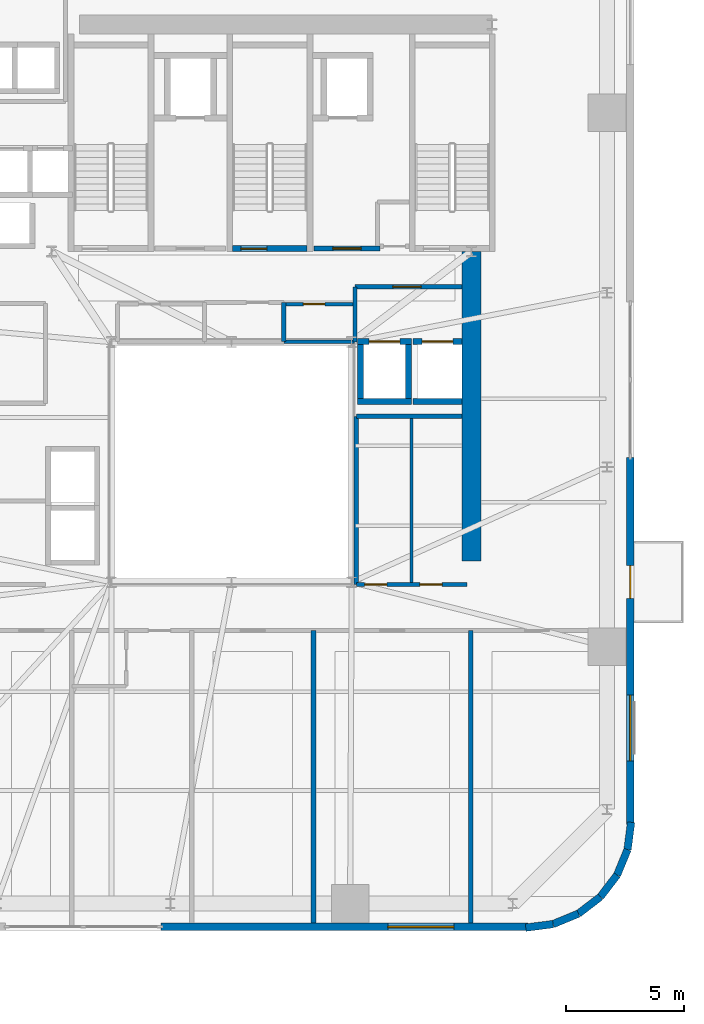
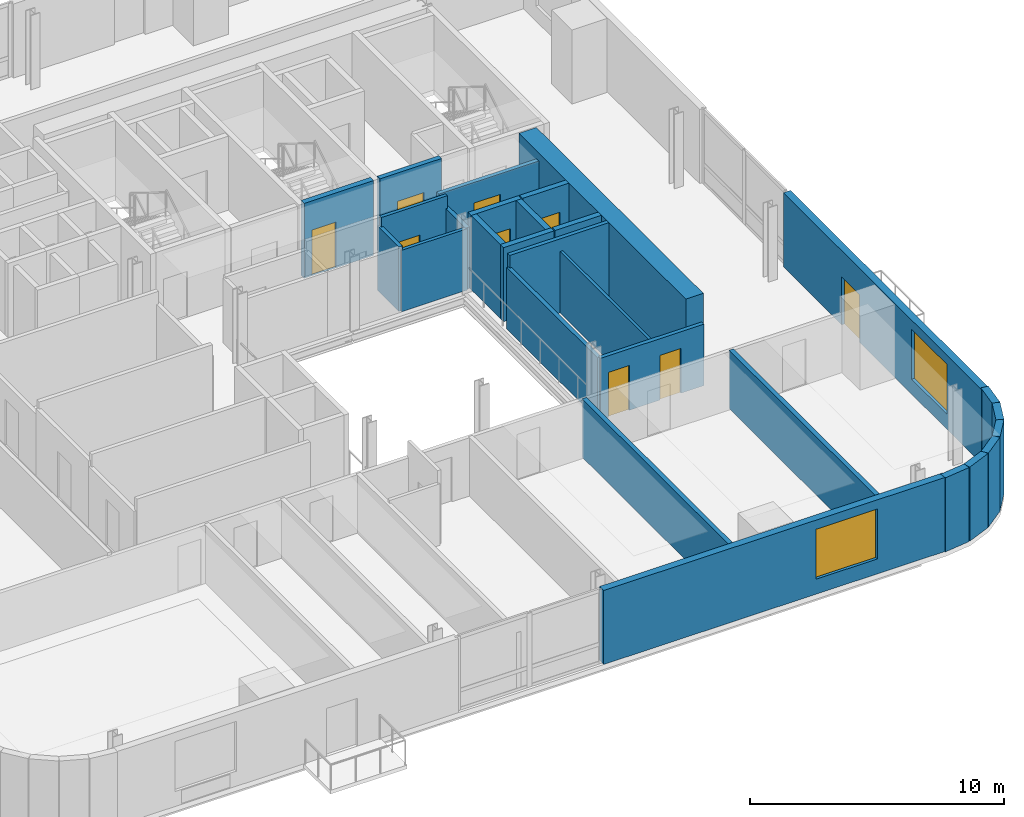
# One storey, part 7 of 14: 28 walls, 9 doors, 2 windows, 11 openings.
"""IFC4 building model written with IfcOpenShell, lengths in metres."""

from ifc_helpers import new_model, si_unit, direction, frame, frame_2d, origin, place, context, subcontext, project, spatial, rectangle, extrude, source, transform, mapped, material, layer, layer_set, type_object, element, fill, save


model = new_model("IFC4")

# Units and contexts
model_context = context("Model", 3, precision=1e-05, world=origin(), true_north=direction((0.0, 1.0)))
body_context = subcontext(model_context, "Body", "Model", "MODEL_VIEW")
ifc_project = project(units=[si_unit("LENGTHUNIT", "METRE"), si_unit("AREAUNIT", "SQUARE_METRE"), si_unit("VOLUMEUNIT", "CUBIC_METRE"), si_unit("PLANEANGLEUNIT", "RADIAN"), si_unit("MASSUNIT", "GRAM", prefix="KILO")], contexts=[model_context])

# Site, building, storey
site_placement = place(None, origin())
site = spatial("IfcSite", under=ifc_project, at=site_placement, CompositionType="ELEMENT")
building_placement = place(site_placement, origin())
building = spatial("IfcBuilding", under=site, at=building_placement, Name="Vardaveli Station Tower", CompositionType="ELEMENT")
storey_placement = place(building_placement, frame((0.0, 0.0, 103.699951171875)))
storey = spatial("IfcBuildingStorey", under=building, at=storey_placement, Name="L26", CompositionType="ELEMENT", Elevation=103.699951171875)

# Wall
ifc_material_1 = material(Name="Concrete C50/60", Category="concrete")
ifc_layer_1 = layer(ifc_material_1, 0.800048828125, Name="Concrete C50/60")
ifc_layer_set_1 = layer_set([ifc_layer_1], Name="Concrete C50/60")
wall_type_1 = type_object("IfcWallType", Name="WAL-CORE-800", PredefinedType="SHEAR", material=ifc_layer_set_1)
shared_shape_1 = source(origin(), body_context, "Body", "SweptSolid", [
    extrude(rectangle(XDim=13.14990234375, YDim=0.800048828125, at=frame_2d((6.574951171875, 0.0))), origin(), (0.0, 0.0, 1.0), 3.56005859375),
])
wall_1_placement = place(storey_placement, frame((46.5, 17.5, 0.0), z_axis=(0.0, 0.0, 1.0), x_axis=(0.0, 1.0, 0.0)))
element("IfcWall", 1, at=wall_1_placement, inside=storey, type_object=wall_type_1, Name="SW-L26-EAST2", PredefinedType="SHEAR", context=body_context, shape_type="MappedRepresentation", body=[
    mapped(shared_shape_1, transform((0.0, 0.0, 0.0), scale=1.0)),
])

# Wall, opening, window
ifc_material_2 = material(Name="Precast concrete C45/55", Category="concrete")
ifc_layer_2 = layer(ifc_material_2, 0.320068359375, Name="Precast concrete C45/55")
ifc_layer_set_2 = layer_set([ifc_layer_2], Name="Precast concrete C45/55")
wall_type_2 = type_object("IfcWallType", Name="WAL-EXT-STONE-320", PredefinedType="SOLIDWALL", material=ifc_layer_set_2)
shared_shape_2 = source(origin(), body_context, "Body", "SweptSolid", [
    extrude(rectangle(XDim=15.599853515625, YDim=0.320068359375, at=frame_2d((7.7998046875, 0.0))), origin(), (0.0, 0.0, 1.0), 3.56005859375),
])
wall_2_placement = place(storey_placement, frame((33.300048828125, 1.9599609375, 0.0), z_axis=(0.0, 0.0, 1.0), x_axis=(1.0, 0.0, 0.0)))
wall_2 = element("IfcWall", 2, at=wall_2_placement, inside=storey, type_object=wall_type_2, Name="EW-L26-S2", PredefinedType="SOLIDWALL", context=body_context, shape_type="MappedRepresentation", body=[
    mapped(shared_shape_2, transform((0.0, 0.0, 0.0), scale=1.0)),
])
shared_shape_3 = source(origin(), body_context, "Body", "SweptSolid", [
    extrude(rectangle(XDim=2.800048828125, YDim=2.39990234375, at=frame_2d((1.39990234375, 1.199951171875))), frame((0.0, 0.169921875, 0.0), z_axis=(0.0, -1.0, 0.0), x_axis=(1.0, 0.0, 0.0)), (0.0, 0.0, 1.0), 0.340087890625),
])
opening_1_placement = place(wall_2_placement, frame((9.64501953125, 0.0, 0.719970703125)))
opening_1 = element("IfcOpeningElement", 3, at=opening_1_placement, cuts=wall_2, Name="Opening W-04", PredefinedType="OPENING", context=body_context, shape_type="MappedRepresentation", body=[
    mapped(shared_shape_3, transform((0.0, 0.0, 0.0), scale=1.0)),
])
ifc_material_3 = material(Name="Low-E solar-control glass", Category="glass")
window_type = type_object("IfcWindowType", Name="WIN-SUITE-2800x2400", PartitioningType="SINGLE_PANEL", PredefinedType="WINDOW", material=ifc_material_3)
shared_shape_4 = source(origin(), body_context, "Body", "SweptSolid", [
    extrude(rectangle(XDim=2.800048828125, YDim=2.39990234375, at=frame_2d((1.39990234375, 1.199951171875))), frame((0.0, 0.030029296875, 0.0), z_axis=(0.0, -1.0, 0.0), x_axis=(1.0, 0.0, 0.0)), (0.0, 0.0, 1.0), 0.06005859375),
])
window_1_placement = place(opening_1_placement, origin())
window_1 = element("IfcWindow", 4, at=window_1_placement, inside=storey, type_object=window_type, Name="WN-L26-S2", OverallHeight=2.39990234375, OverallWidth=2.800048828125, PartitioningType="SINGLE_PANEL", PredefinedType="WINDOW", context=body_context, shape_type="MappedRepresentation", body=[
    mapped(shared_shape_4, transform((0.0, 0.0, 0.0), scale=1.0)),
])
fill(opening_1, window_1)

# Wall, openings, door, window
wall_3_placement = place(storey_placement, frame((53.239990234375, 6.300048828125, 0.0), z_axis=(0.0, 0.0, 1.0), x_axis=(0.0, 1.0, 0.0)))
wall_3 = element("IfcWall", 5, at=wall_3_placement, inside=storey, type_object=wall_type_2, Name="EW-L26-E1", PredefinedType="SOLIDWALL", context=body_context, shape_type="MappedRepresentation", body=[
    mapped(shared_shape_2, transform((0.0, 0.0, 0.0), scale=1.0)),
])
shared_shape_5 = source(origin(), body_context, "Body", "SweptSolid", [
    extrude(rectangle(XDim=1.39990234375, YDim=2.300048828125, at=frame_2d((0.699951171875, 1.14990234375))), frame((0.0, 0.169921875, 0.0), z_axis=(0.0, -1.0, 0.0), x_axis=(1.0, 0.0, 0.0)), (0.0, 0.0, 1.0), 0.340087890625),
])
opening_2_placement = place(wall_3_placement, frame((9.6103515625, 0.0, 0.0)))
opening_2 = element("IfcOpeningElement", 6, at=opening_2_placement, cuts=wall_3, Name="Opening D-09", PredefinedType="OPENING", context=body_context, shape_type="MappedRepresentation", body=[
    mapped(shared_shape_5, transform((0.0, 0.0, 0.0), scale=1.0)),
])
opening_3_placement = place(wall_3_placement, frame((2.705078125, 0.0, 0.719970703125)))
opening_3 = element("IfcOpeningElement", 7, at=opening_3_placement, cuts=wall_3, Name="Opening W-04", PredefinedType="OPENING", context=body_context, shape_type="MappedRepresentation", body=[
    mapped(shared_shape_3, transform((0.0, 0.0, 0.0), scale=1.0)),
])
ifc_material_4 = material(Name="Thermally broken aluminium glass", Category="aluminium")
door_type_1 = type_object("IfcDoorType", Name="DR-LOG-1400x2300", OperationType="DOUBLE_DOOR_SLIDING", PredefinedType="DOOR", material=ifc_material_4)
shared_shape_6 = source(origin(), body_context, "Body", "SweptSolid", [
    extrude(rectangle(XDim=1.39990234375, YDim=2.300048828125, at=frame_2d((0.699951171875, 1.14990234375))), frame((0.0, 0.02490234375, 0.0), z_axis=(0.0, -1.0, 0.0), x_axis=(1.0, 0.0, 0.0)), (0.0, 0.0, 1.0), 0.050048828125),
])
door_1_placement = place(opening_2_placement, frame((1.39990234375, 0.0, 0.0), z_axis=(0.0, 0.0, 1.0), x_axis=(-1.0, 0.0, 0.0)))
door_1 = element("IfcDoor", 8, at=door_1_placement, inside=storey, type_object=door_type_1, Name="DLG-L26-E", OperationType="DOUBLE_DOOR_SLIDING", OverallHeight=2.300048828125, OverallWidth=1.39990234375, PredefinedType="DOOR", context=body_context, shape_type="MappedRepresentation", body=[
    mapped(shared_shape_6, transform((0.0, 0.0, 0.0), scale=1.0)),
])
fill(opening_2, door_1)
window_2_placement = place(opening_3_placement, origin())
window_2 = element("IfcWindow", 9, at=window_2_placement, inside=storey, type_object=window_type, Name="WN-L26-E1", OverallHeight=2.39990234375, OverallWidth=2.800048828125, PartitioningType="SINGLE_PANEL", PredefinedType="WINDOW", context=body_context, shape_type="MappedRepresentation", body=[
    mapped(shared_shape_4, transform((0.0, 0.0, 0.0), scale=1.0)),
])
fill(opening_3, window_2)

# Walls
shared_shape_7 = source(origin(), body_context, "Body", "SweptSolid", [
    extrude(rectangle(XDim=1.170654296875, YDim=0.320068359375, at=frame_2d((0.58544921875, 0.0))), origin(), (0.0, 0.0, 1.0), 3.56005859375),
])
wall_4_placement = place(storey_placement, frame((53.12548828125, 5.23974609375, 0.0), z_axis=(0.0, 0.0, 1.0), x_axis=(0.128269133229, 0.991739395941, 0.0)))
element("IfcWall", 10, at=wall_4_placement, inside=storey, type_object=wall_type_2, Name="EW-L26-CR2-6", PredefinedType="SOLIDWALL", context=body_context, shape_type="MappedRepresentation", body=[
    mapped(shared_shape_7, transform((0.0, 0.0, 0.0), scale=1.0)),
])
shared_shape_8 = source(origin(), body_context, "Body", "SweptSolid", [
    extrude(rectangle(XDim=1.1689453125, YDim=0.320068359375, at=frame_2d((0.58447265625, 0.0))), origin(), (0.0, 0.0, 1.0), 3.56005859375),
])
for number, where, z_axis, x_axis, name in (
    (11, (51.96875, 3.231201171875, 0.0), (0.0, 0.0, 1.0), (0.608387696831, 0.793639975269, 0.0), "EW-L26-CR2-4"),
    (12, (52.679931640625, 4.158935546875, 0.0), (0.0, 0.0, 1.0), (0.381127904695, 0.924522320046, 0.0), "EW-L26-CR2-5"),
):
    element("IfcWall", number, at=place(storey_placement, frame(where, z_axis=z_axis, x_axis=x_axis)), inside=storey, type_object=wall_type_2, Name=name, PredefinedType="SOLIDWALL", context=body_context, shape_type="MappedRepresentation", body=[
        mapped(shared_shape_8, transform((0.0, 0.0, 0.0), scale=1.0)),
    ])
shared_shape_9 = source(origin(), body_context, "Body", "SweptSolid", [
    extrude(rectangle(XDim=1.168701171875, YDim=0.320068359375, at=frame_2d((0.58447265625, 0.0))), origin(), (0.0, 0.0, 1.0), 3.56005859375),
])
wall_5_placement = place(storey_placement, frame((51.041259765625, 2.520263671875, 0.0), z_axis=(0.0, 0.0, 1.0), x_axis=(0.793663520347, 0.608356981114, 0.0)))
element("IfcWall", 13, at=wall_5_placement, inside=storey, type_object=wall_type_2, Name="EW-L26-CR2-3", PredefinedType="SOLIDWALL", context=body_context, shape_type="MappedRepresentation", body=[
    mapped(shared_shape_9, transform((0.0, 0.0, 0.0), scale=1.0)),
])
shared_shape_10 = source(origin(), body_context, "Body", "SweptSolid", [
    extrude(rectangle(XDim=1.16943359375, YDim=0.320068359375, at=frame_2d((0.584716796875, 0.0))), origin(), (0.0, 0.0, 1.0), 3.56005859375),
])
wall_6_placement = place(storey_placement, frame((49.960205078125, 2.074462890625, 0.0), z_axis=(0.0, 0.0, 1.0), x_axis=(0.924479075121, 0.381232789334, 0.0)))
element("IfcWall", 14, at=wall_6_placement, inside=storey, type_object=wall_type_2, Name="EW-L26-CR2-2", PredefinedType="SOLIDWALL", context=body_context, shape_type="MappedRepresentation", body=[
    mapped(shared_shape_10, transform((0.0, 0.0, 0.0), scale=1.0)),
])
shared_shape_11 = source(origin(), body_context, "Body", "SweptSolid", [
    extrude(rectangle(XDim=1.170166015625, YDim=0.320068359375, at=frame_2d((0.5849609375, 0.0))), origin(), (0.0, 0.0, 1.0), 3.56005859375),
])
wall_7_placement = place(storey_placement, frame((48.799560546875, 1.924560546875, 0.0), z_axis=(0.0, 0.0, 1.0), x_axis=(0.991762485493, 0.128090485085, 0.0)))
element("IfcWall", 15, at=wall_7_placement, inside=storey, type_object=wall_type_2, Name="EW-L26-CR2-1", PredefinedType="SOLIDWALL", context=body_context, shape_type="MappedRepresentation", body=[
    mapped(shared_shape_11, transform((0.0, 0.0, 0.0), scale=1.0)),
])

# Wall, opening, door
ifc_material_5 = material(Name="Concrete C40/50", Category="concrete")
ifc_layer_3 = layer(ifc_material_5, 0.25, Name="Concrete C40/50")
ifc_layer_set_3 = layer_set([ifc_layer_3], Name="Concrete C40/50")
wall_type_3 = type_object("IfcWallType", Name="WAL-SHAFT-250", PredefinedType="SOLIDWALL", material=ifc_layer_set_3)
shared_shape_12 = source(origin(), body_context, "Body", "SweptSolid", [
    extrude(rectangle(XDim=3.14990234375, YDim=0.25, at=frame_2d((1.574951171875, 0.0))), origin(), (0.0, 0.0, 1.0), 3.60009765625),
])
wall_8_placement = place(storey_placement, frame((36.35009765625, 30.77490234375, 0.0), z_axis=(0.0, 0.0, 1.0), x_axis=(1.0, 0.0, 0.0)))
wall_8 = element("IfcWall", 16, at=wall_8_placement, inside=storey, type_object=wall_type_3, Name="W-L26-ST-2S", PredefinedType="SOLIDWALL", context=body_context, shape_type="MappedRepresentation", body=[
    mapped(shared_shape_12, transform((0.0, 0.0, 0.0), scale=1.0)),
])
shared_shape_13 = source(origin(), body_context, "Body", "SweptSolid", [
    extrude(rectangle(XDim=1.10009765625, YDim=2.199951171875, at=frame_2d((0.550048828125, 1.10009765625))), frame((0.0, 0.135009765625, 0.0), z_axis=(0.0, -1.0, 0.0), x_axis=(1.0, 0.0, 0.0)), (0.0, 0.0, 1.0), 0.27001953125),
])
opening_4_placement = place(wall_8_placement, frame((0.35009765625, 0.0, 0.0)))
opening_4 = element("IfcOpeningElement", 17, at=opening_4_placement, cuts=wall_8, Name="Opening D-04", PredefinedType="OPENING", context=body_context, shape_type="MappedRepresentation", body=[
    mapped(shared_shape_13, transform((0.0, 0.0, 0.0), scale=1.0)),
])
ifc_material_6 = material(Name="Steel smokeproof fire doorset", Category="steel")
door_type_2 = type_object("IfcDoorType", Name="DR-ST-1100x2200", OperationType="NOTDEFINED", PredefinedType="DOOR", material=ifc_material_6)
shared_shape_14 = source(origin(), body_context, "Body", "SweptSolid", [
    extrude(rectangle(XDim=1.10009765625, YDim=2.199951171875, at=frame_2d((0.550048828125, 1.10009765625))), frame((0.0, 0.02490234375, 0.0), z_axis=(0.0, -1.0, 0.0), x_axis=(1.0, 0.0, 0.0)), (0.0, 0.0, 1.0), 0.050048828125),
])
door_2_placement = place(opening_4_placement, origin())
door_2 = element("IfcDoor", 18, at=door_2_placement, inside=storey, type_object=door_type_2, Name="DST-2-L26", OperationType="SINGLE_SWING_LEFT", OverallHeight=2.199951171875, OverallWidth=1.10009765625, PredefinedType="DOOR", context=body_context, shape_type="MappedRepresentation", body=[
    mapped(shared_shape_14, transform((0.0, 0.0, 0.0), scale=1.0)),
])
fill(opening_4, door_2)

ifc_layer_4 = layer(ifc_material_5, 0.219970703125, Name="Concrete C40/50")
ifc_layer_set_4 = layer_set([ifc_layer_4], Name="Concrete C40/50")
wall_type_4 = type_object("IfcWallType", Name="WAL-FFLOBBY-220", PredefinedType="SOLIDWALL", material=ifc_layer_set_4)
shared_shape_15 = source(origin(), body_context, "Body", "SweptSolid", [
    extrude(rectangle(XDim=2.800048828125, YDim=0.219970703125, at=frame_2d((1.39990234375, 0.0))), origin(), (0.0, 0.0, 1.0), 3.56005859375),
])
wall_9_placement = place(storey_placement, frame((39.800048828125, 30.780029296875, 0.0), z_axis=(0.0, 0.0, 1.0), x_axis=(1.0, 0.0, 0.0)))
wall_9 = element("IfcWall", 19, at=wall_9_placement, inside=storey, type_object=wall_type_4, Name="W-L26-FFL2S", PredefinedType="SOLIDWALL", context=body_context, shape_type="MappedRepresentation", body=[
    mapped(shared_shape_15, transform((0.0, 0.0, 0.0), scale=1.0)),
])
shared_shape_16 = source(origin(), body_context, "Body", "SweptSolid", [
    extrude(rectangle(XDim=1.199951171875, YDim=2.199951171875, at=frame_2d((0.60009765625, 1.10009765625))), frame((0.0, 0.1201171875, 0.0), z_axis=(0.0, -1.0, 0.0), x_axis=(1.0, 0.0, 0.0)), (0.0, 0.0, 1.0), 0.239990234375),
])
opening_5_placement = place(wall_9_placement, frame((0.800048828125, 0.0, 0.0)))
opening_5 = element("IfcOpeningElement", 20, at=opening_5_placement, cuts=wall_9, Name="Opening D-03", PredefinedType="OPENING", context=body_context, shape_type="MappedRepresentation", body=[
    mapped(shared_shape_16, transform((0.0, 0.0, 0.0), scale=1.0)),
])
door_type_3 = type_object("IfcDoorType", Name="DR-FFL-1200x2200", OperationType="NOTDEFINED", PredefinedType="DOOR", material=ifc_material_6)
shared_shape_17 = source(origin(), body_context, "Body", "SweptSolid", [
    extrude(rectangle(XDim=1.199951171875, YDim=2.199951171875, at=frame_2d((0.60009765625, 1.10009765625))), frame((0.0, 0.02490234375, 0.0), z_axis=(0.0, -1.0, 0.0), x_axis=(1.0, 0.0, 0.0)), (0.0, 0.0, 1.0), 0.050048828125),
])
door_3_placement = place(opening_5_placement, origin())
door_3 = element("IfcDoor", 21, at=door_3_placement, inside=storey, type_object=door_type_3, Name="DFFL2-L26", OperationType="SINGLE_SWING_RIGHT", OverallHeight=2.199951171875, OverallWidth=1.199951171875, PredefinedType="DOOR", context=body_context, shape_type="MappedRepresentation", body=[
    mapped(shared_shape_17, transform((0.0, 0.0, 0.0), scale=1.0)),
])
fill(opening_5, door_3)

# Wall
shared_shape_18 = source(origin(), body_context, "Body", "SweptSolid", [
    extrude(rectangle(XDim=2.300048828125, YDim=0.25, at=frame_2d((1.14990234375, 0.0))), origin(), (0.0, 0.0, 1.0), 3.56005859375),
])
wall_10_placement = place(storey_placement, frame((41.64990234375, 24.27490234375, 0.0), z_axis=(0.0, 0.0, 1.0), x_axis=(1.0, 0.0, 0.0)))
element("IfcWall", 22, at=wall_10_placement, inside=storey, type_object=wall_type_3, Name="SHW-SRV-01-L26-S", PredefinedType="SOLIDWALL", context=body_context, shape_type="MappedRepresentation", body=[
    mapped(shared_shape_18, transform((0.0, 0.0, 0.0), scale=1.0)),
])

# Wall, opening, door
wall_11_placement = place(storey_placement, frame((41.64990234375, 26.824951171875, 0.0), z_axis=(0.0, 0.0, 1.0), x_axis=(1.0, 0.0, 0.0)))
wall_11 = element("IfcWall", 23, at=wall_11_placement, inside=storey, type_object=wall_type_3, Name="SHW-SRV-01-L26-N", PredefinedType="SOLIDWALL", context=body_context, shape_type="MappedRepresentation", body=[
    mapped(shared_shape_18, transform((0.0, 0.0, 0.0), scale=1.0)),
])
shared_shape_19 = source(origin(), body_context, "Body", "SweptSolid", [
    extrude(rectangle(XDim=1.300048828125, YDim=2.300048828125, at=frame_2d((0.64990234375, 1.14990234375))), frame((0.0, 0.135009765625, 0.0), z_axis=(0.0, -1.0, 0.0), x_axis=(1.0, 0.0, 0.0)), (0.0, 0.0, 1.0), 0.27001953125),
])
opening_6_placement = place(wall_11_placement, frame((0.5, 0.0, 0.0)))
opening_6 = element("IfcOpeningElement", 24, at=opening_6_placement, cuts=wall_11, Name="Opening LD-03", PredefinedType="OPENING", context=body_context, shape_type="MappedRepresentation", body=[
    mapped(shared_shape_19, transform((0.0, 0.0, 0.0), scale=1.0)),
])
ifc_material_7 = material(Name="Brushed stainless steel", Category="steel")
door_type_4 = type_object("IfcDoorType", Name="DR-LD-1300x2300", OperationType="DOUBLE_DOOR_SLIDING", PredefinedType="DOOR", material=ifc_material_7)
shared_shape_20 = source(origin(), body_context, "Body", "SweptSolid", [
    extrude(rectangle(XDim=1.300048828125, YDim=2.300048828125, at=frame_2d((0.64990234375, 1.14990234375))), frame((0.0, 0.02490234375, 0.0), z_axis=(0.0, -1.0, 0.0), x_axis=(1.0, 0.0, 0.0)), (0.0, 0.0, 1.0), 0.050048828125),
])
door_4_placement = place(opening_6_placement, origin())
door_4 = element("IfcDoor", 25, at=door_4_placement, inside=storey, type_object=door_type_4, Name="LD-SRV-01-L26", OperationType="DOUBLE_DOOR_SLIDING", OverallHeight=2.300048828125, OverallWidth=1.300048828125, PredefinedType="DOOR", context=body_context, shape_type="MappedRepresentation", body=[
    mapped(shared_shape_20, transform((0.0, 0.0, 0.0), scale=1.0)),
])
fill(opening_6, door_4)

# Walls
for number, where, z_axis, x_axis, name in (
    (26, (41.77490234375, 24.39990234375, 0.0), (0.0, 0.0, 1.0), (0.0, 1.0, 0.0), "SHW-SRV-01-L26-W"),
    (27, (43.824951171875, 24.39990234375, 0.0), (0.0, 0.0, 1.0), (0.0, 1.0, 0.0), "SHW-SRV-01-L26-E"),
):
    element("IfcWall", number, at=place(storey_placement, frame(where, z_axis=z_axis, x_axis=x_axis)), inside=storey, type_object=wall_type_3, Name=name, PredefinedType="SOLIDWALL", context=body_context, shape_type="MappedRepresentation", body=[
        mapped(shared_shape_18, transform((0.0, 0.0, 0.0), scale=1.0)),
    ])
shared_shape_21 = source(origin(), body_context, "Body", "SweptSolid", [
    extrude(rectangle(XDim=2.10009765625, YDim=0.25, at=frame_2d((1.050048828125, 0.0))), origin(), (0.0, 0.0, 1.0), 3.56005859375),
])
wall_12_placement = place(storey_placement, frame((44.0, 24.27490234375, 0.0), z_axis=(0.0, 0.0, 1.0), x_axis=(1.0, 0.0, 0.0)))
element("IfcWall", 28, at=wall_12_placement, inside=storey, type_object=wall_type_3, Name="SHW-SRV-02-L26-S", PredefinedType="SOLIDWALL", context=body_context, shape_type="MappedRepresentation", body=[
    mapped(shared_shape_21, transform((0.0, 0.0, 0.0), scale=1.0)),
])

# Wall, opening, door
wall_13_placement = place(storey_placement, frame((44.0, 26.824951171875, 0.0), z_axis=(0.0, 0.0, 1.0), x_axis=(1.0, 0.0, 0.0)))
wall_13 = element("IfcWall", 29, at=wall_13_placement, inside=storey, type_object=wall_type_3, Name="SHW-SRV-02-L26-N", PredefinedType="SOLIDWALL", context=body_context, shape_type="MappedRepresentation", body=[
    mapped(shared_shape_21, transform((0.0, 0.0, 0.0), scale=1.0)),
])
opening_7_placement = place(wall_13_placement, frame((0.39990234375, 0.0, 0.0)))
opening_7 = element("IfcOpeningElement", 30, at=opening_7_placement, cuts=wall_13, Name="Opening LD-03", PredefinedType="OPENING", context=body_context, shape_type="MappedRepresentation", body=[
    mapped(shared_shape_19, transform((0.0, 0.0, 0.0), scale=1.0)),
])
door_5_placement = place(opening_7_placement, origin())
door_5 = element("IfcDoor", 31, at=door_5_placement, inside=storey, type_object=door_type_4, Name="LD-SRV-02-L26", OperationType="DOUBLE_DOOR_SLIDING", OverallHeight=2.300048828125, OverallWidth=1.300048828125, PredefinedType="DOOR", context=body_context, shape_type="MappedRepresentation", body=[
    mapped(shared_shape_20, transform((0.0, 0.0, 0.0), scale=1.0)),
])
fill(opening_7, door_5)

ifc_material_8 = material(Name="Fire-rated gypsum stud partition")
ifc_layer_5 = layer(ifc_material_8, 0.179931640625, Name="Fire-rated gypsum stud partition")
ifc_layer_set_5 = layer_set([ifc_layer_5], Name="Fire-rated gypsum stud partition")
wall_type_5 = type_object("IfcWallType", Name="WAL-CORR-180", PredefinedType="PARTITIONING", material=ifc_layer_set_5)
shared_shape_22 = source(origin(), body_context, "Body", "SweptSolid", [
    extrude(rectangle(XDim=4.5478515625, YDim=0.179931640625, at=frame_2d((2.27392578125, 0.0))), origin(), (0.0, 0.0, 1.0), 3.192138671875),
])
wall_14_placement = place(storey_placement, frame((41.550048828125, 29.14990234375, 0.0), z_axis=(0.0, 0.0, 1.0), x_axis=(1.0, 0.0, 0.0)))
wall_14 = element("IfcWall", 32, at=wall_14_placement, inside=storey, type_object=wall_type_5, Name="W-L26-SVFN", PredefinedType="PARTITIONING", context=body_context, shape_type="MappedRepresentation", body=[
    mapped(shared_shape_22, transform((0.0, 0.0, 0.0), scale=1.0)),
])
shared_shape_23 = source(origin(), body_context, "Body", "SweptSolid", [
    extrude(rectangle(XDim=1.199951171875, YDim=2.199951171875, at=frame_2d((0.60009765625, 1.10009765625))), frame((0.0, 0.10009765625, 0.0), z_axis=(0.0, -1.0, 0.0), x_axis=(1.0, 0.0, 0.0)), (0.0, 0.0, 1.0), 0.199951171875),
])
opening_8_placement = place(wall_14_placement, frame((1.60009765625, 0.0, 0.0)))
opening_8 = element("IfcOpeningElement", 33, at=opening_8_placement, cuts=wall_14, Name="Opening D-03", PredefinedType="OPENING", context=body_context, shape_type="MappedRepresentation", body=[
    mapped(shared_shape_23, transform((0.0, 0.0, 0.0), scale=1.0)),
])
door_6_placement = place(opening_8_placement, origin())
door_6 = element("IfcDoor", 34, at=door_6_placement, inside=storey, type_object=door_type_3, Name="D-L26-SVF", OperationType="SINGLE_SWING_LEFT", OverallHeight=2.199951171875, OverallWidth=1.199951171875, PredefinedType="DOOR", context=body_context, shape_type="MappedRepresentation", body=[
    mapped(shared_shape_17, transform((0.0, 0.0, 0.0), scale=1.0)),
])
fill(opening_8, door_6)

# Wall, openings, doors
shared_shape_24 = source(origin(), body_context, "Body", "SweptSolid", [
    extrude(rectangle(XDim=4.699951171875, YDim=0.179931640625, at=frame_2d((2.35009765625, 0.0))), origin(), (0.0, 0.0, 1.0), 2.9521484375),
])
wall_15_placement = place(storey_placement, frame((41.60009765625, 16.5, 0.0), z_axis=(0.0, 0.0, 1.0), x_axis=(1.0, 0.0, 0.0)))
wall_15 = element("IfcWall", 35, at=wall_15_placement, inside=storey, type_object=wall_type_5, Name="W-L26-ATE-S", PredefinedType="PARTITIONING", context=body_context, shape_type="MappedRepresentation", body=[
    mapped(shared_shape_24, transform((0.0, 0.0, 0.0), scale=1.0)),
])
shared_shape_25 = source(origin(), body_context, "Body", "SweptSolid", [
    extrude(rectangle(XDim=0.949951171875, YDim=2.14990234375, at=frame_2d((0.47509765625, 1.074951171875))), frame((0.0, 0.10009765625, 0.0), z_axis=(0.0, -1.0, 0.0), x_axis=(1.0, 0.0, 0.0)), (0.0, 0.0, 1.0), 0.199951171875),
])
opening_9_placement = place(wall_15_placement, frame((0.35009765625, 0.0, 0.0)))
opening_9 = element("IfcOpeningElement", 36, at=opening_9_placement, cuts=wall_15, Name="Opening D-11", PredefinedType="OPENING", context=body_context, shape_type="MappedRepresentation", body=[
    mapped(shared_shape_25, transform((0.0, 0.0, 0.0), scale=1.0)),
])
opening_10_placement = place(wall_15_placement, frame((2.699951171875, 0.0, 0.0)))
opening_10 = element("IfcOpeningElement", 37, at=opening_10_placement, cuts=wall_15, Name="Opening D-11", PredefinedType="OPENING", context=body_context, shape_type="MappedRepresentation", body=[
    mapped(shared_shape_25, transform((0.0, 0.0, 0.0), scale=1.0)),
])
ifc_material_9 = material(Name="Oak veneer internal suite door")
door_type_5 = type_object("IfcDoorType", Name="DR-INT-950x2150", OperationType="NOTDEFINED", PredefinedType="DOOR", material=ifc_material_9)
shared_shape_26 = source(origin(), body_context, "Body", "SweptSolid", [
    extrude(rectangle(XDim=0.949951171875, YDim=2.14990234375, at=frame_2d((0.47509765625, 1.074951171875))), frame((0.0, 0.02490234375, 0.0), z_axis=(0.0, -1.0, 0.0), x_axis=(1.0, 0.0, 0.0)), (0.0, 0.0, 1.0), 0.050048828125),
])
door_7_placement = place(opening_9_placement, origin())
door_7 = element("IfcDoor", 38, at=door_7_placement, inside=storey, type_object=door_type_5, Name="D-L26-ATE1", OperationType="SINGLE_SWING_RIGHT", OverallHeight=2.14990234375, OverallWidth=0.949951171875, PredefinedType="DOOR", context=body_context, shape_type="MappedRepresentation", body=[
    mapped(shared_shape_26, transform((0.0, 0.0, 0.0), scale=1.0)),
])
fill(opening_9, door_7)
door_8_placement = place(opening_10_placement, origin())
door_8 = element("IfcDoor", 39, at=door_8_placement, inside=storey, type_object=door_type_5, Name="D-L26-ATE2", OperationType="SINGLE_SWING_LEFT", OverallHeight=2.14990234375, OverallWidth=0.949951171875, PredefinedType="DOOR", context=body_context, shape_type="MappedRepresentation", body=[
    mapped(shared_shape_26, transform((0.0, 0.0, 0.0), scale=1.0)),
])
fill(opening_10, door_8)

# Wall, opening, door
ifc_material_10 = material(Name="Moisture-resistant stud partition")
ifc_layer_6 = layer(ifc_material_10, 0.14990234375, Name="Moisture-resistant stud partition")
ifc_layer_set_6 = layer_set([ifc_layer_6], Name="Moisture-resistant stud partition")
wall_type_6 = type_object("IfcWallType", Name="WAL-WET-150", PredefinedType="PARTITIONING", material=ifc_layer_set_6)
shared_shape_27 = source(origin(), body_context, "Body", "SweptSolid", [
    extrude(rectangle(XDim=3.0, YDim=0.14990234375, at=frame_2d((1.5, 0.0))), origin(), (0.0, 0.0, 1.0), 3.56005859375),
])
wall_16_placement = place(storey_placement, frame((38.52001953125, 28.419921875, 0.0), z_axis=(0.0, 0.0, 1.0), x_axis=(1.0, 0.0, 0.0)))
wall_16 = element("IfcWall", 40, at=wall_16_placement, inside=storey, type_object=wall_type_6, Name="W-L26-WCA2-N", PredefinedType="PARTITIONING", context=body_context, shape_type="MappedRepresentation", body=[
    mapped(shared_shape_27, transform((0.0, 0.0, 0.0), scale=1.0)),
])
shared_shape_28 = source(origin(), body_context, "Body", "SweptSolid", [
    extrude(rectangle(XDim=0.919921875, YDim=2.10009765625, at=frame_2d((0.4599609375, 1.050048828125))), frame((0.0, 0.0849609375, 0.0), z_axis=(0.0, -1.0, 0.0), x_axis=(1.0, 0.0, 0.0)), (0.0, 0.0, 1.0), 0.169921875),
])
opening_11_placement = place(wall_16_placement, frame((0.830078125, 0.0, 0.0)))
opening_11 = element("IfcOpeningElement", 41, at=opening_11_placement, cuts=wall_16, Name="Opening D-07", PredefinedType="OPENING", context=body_context, shape_type="MappedRepresentation", body=[
    mapped(shared_shape_28, transform((0.0, 0.0, 0.0), scale=1.0)),
])
ifc_material_11 = material(Name="Moisture-resistant hardwood door", Category="wood")
door_type_6 = type_object("IfcDoorType", Name="DR-WC-920x2100", OperationType="NOTDEFINED", PredefinedType="DOOR", material=ifc_material_11)
shared_shape_29 = source(origin(), body_context, "Body", "SweptSolid", [
    extrude(rectangle(XDim=0.919921875, YDim=2.10009765625, at=frame_2d((0.4599609375, 1.050048828125))), frame((0.0, 0.02490234375, 0.0), z_axis=(0.0, -1.0, 0.0), x_axis=(1.0, 0.0, 0.0)), (0.0, 0.0, 1.0), 0.050048828125),
])
door_9_placement = place(opening_11_placement, origin())
door_9 = element("IfcDoor", 42, at=door_9_placement, inside=storey, type_object=door_type_6, Name="D-L26-WCA", OperationType="SINGLE_SWING_RIGHT", OverallHeight=2.10009765625, OverallWidth=0.919921875, PredefinedType="DOOR", context=body_context, shape_type="MappedRepresentation", body=[
    mapped(shared_shape_29, transform((0.0, 0.0, 0.0), scale=1.0)),
])
fill(opening_11, door_9)

# Walls
ifc_material_12 = material(Name="Acoustic twin-stud gypsum partition")
ifc_layer_7 = layer(ifc_material_12, 0.199951171875, Name="Acoustic twin-stud gypsum partition")
ifc_layer_set_7 = layer_set([ifc_layer_7], Name="Acoustic twin-stud gypsum partition")
wall_type_7 = type_object("IfcWallType", Name="WAL-PARTY-200", PredefinedType="PARTITIONING", material=ifc_layer_set_7)
shared_shape_30 = source(origin(), body_context, "Body", "SweptSolid", [
    extrude(rectangle(XDim=12.427978515625, YDim=0.199951171875, at=frame_2d((6.2138671875, 0.0))), origin(), (0.0, 0.0, 1.0), 2.802001953125),
])
for number, where, z_axis, x_axis, name in (
    (43, (39.784912109375, 2.1220703125, 0.0), (0.0, 0.0, 1.0), (0.0, 1.0, 0.0), "W-L26-PS5"),
    (44, (46.464111328125, 2.1220703125, 0.0), (0.0, 0.0, 1.0), (0.0, 1.0, 0.0), "W-L26-PS6"),
):
    element("IfcWall", number, at=place(storey_placement, frame(where, z_axis=z_axis, x_axis=x_axis)), inside=storey, type_object=wall_type_7, Name=name, PredefinedType="PARTITIONING", context=body_context, shape_type="MappedRepresentation", body=[
        mapped(shared_shape_30, transform((0.0, 0.0, 0.0), scale=1.0)),
    ])
shared_shape_31 = source(origin(), body_context, "Body", "SweptSolid", [
    extrude(rectangle(XDim=7.14990234375, YDim=0.179931640625, at=frame_2d((3.574951171875, 0.0))), origin(), (0.0, 0.0, 1.0), 2.9521484375),
])
wall_17_placement = place(storey_placement, frame((41.60009765625, 16.5, 0.0), z_axis=(0.0, 0.0, 1.0), x_axis=(0.0, 1.0, 0.0)))
element("IfcWall", 45, at=wall_17_placement, inside=storey, type_object=wall_type_5, Name="W-L26-ATE-W", PredefinedType="PARTITIONING", context=body_context, shape_type="MappedRepresentation", body=[
    mapped(shared_shape_31, transform((0.0, 0.0, 0.0), scale=1.0)),
])
ifc_material_13 = material(Name="Gypsum board stud partition")
ifc_layer_8 = layer(ifc_material_13, 0.125, Name="Gypsum board stud partition")
ifc_layer_set_8 = layer_set([ifc_layer_8], Name="Gypsum board stud partition")
wall_type_8 = type_object("IfcWallType", Name="WAL-INT-125", PredefinedType="PARTITIONING", material=ifc_layer_set_8)
shared_shape_32 = source(origin(), body_context, "Body", "SweptSolid", [
    extrude(rectangle(XDim=7.14990234375, YDim=0.125, at=frame_2d((3.574951171875, 0.0))), origin(), (0.0, 0.0, 1.0), 2.9521484375),
])
wall_18_placement = place(storey_placement, frame((43.949951171875, 16.5, 0.0), z_axis=(0.0, 0.0, 1.0), x_axis=(0.0, 1.0, 0.0)))
element("IfcWall", 46, at=wall_18_placement, inside=storey, type_object=wall_type_8, Name="W-L26-ATEM", PredefinedType="PARTITIONING", context=body_context, shape_type="MappedRepresentation", body=[
    mapped(shared_shape_32, transform((0.0, 0.0, 0.0), scale=1.0)),
])
shared_shape_33 = source(origin(), body_context, "Body", "SweptSolid", [
    extrude(rectangle(XDim=4.497802734375, YDim=0.179931640625, at=frame_2d((2.2490234375, 0.0))), origin(), (0.0, 0.0, 1.0), 3.56005859375),
])
wall_19_placement = place(storey_placement, frame((41.60009765625, 23.64990234375, 0.0), z_axis=(0.0, 0.0, 1.0), x_axis=(1.0, 0.0, 0.0)))
element("IfcWall", 47, at=wall_19_placement, inside=storey, type_object=wall_type_5, Name="W-L26-ATE-N", PredefinedType="PARTITIONING", context=body_context, shape_type="MappedRepresentation", body=[
    mapped(shared_shape_33, transform((0.0, 0.0, 0.0), scale=1.0)),
])
shared_shape_34 = source(origin(), body_context, "Body", "SweptSolid", [
    extrude(rectangle(XDim=3.0, YDim=0.14990234375, at=frame_2d((1.5, 0.0))), origin(), (0.0, 0.0, 1.0), 2.9521484375),
])
wall_20_placement = place(storey_placement, frame((38.52001953125, 26.820068359375, 0.0), z_axis=(0.0, 0.0, 1.0), x_axis=(1.0, 0.0, 0.0)))
element("IfcWall", 48, at=wall_20_placement, inside=storey, type_object=wall_type_6, Name="W-L26-WCA2-S", PredefinedType="PARTITIONING", context=body_context, shape_type="MappedRepresentation", body=[
    mapped(shared_shape_34, transform((0.0, 0.0, 0.0), scale=1.0)),
])
shared_shape_35 = source(origin(), body_context, "Body", "SweptSolid", [
    extrude(rectangle(XDim=2.349853515625, YDim=0.179931640625, at=frame_2d((1.1748046875, 0.0))), origin(), (0.0, 0.0, 1.0), 2.9521484375),
])
wall_21_placement = place(storey_placement, frame((41.550048828125, 26.800048828125, 0.0), z_axis=(0.0, 0.0, 1.0), x_axis=(0.0, 1.0, 0.0)))
element("IfcWall", 49, at=wall_21_placement, inside=storey, type_object=wall_type_5, Name="W-L26-SVFW", PredefinedType="PARTITIONING", context=body_context, shape_type="MappedRepresentation", body=[
    mapped(shared_shape_35, transform((0.0, 0.0, 0.0), scale=1.0)),
])
shared_shape_36 = source(origin(), body_context, "Body", "SweptSolid", [
    extrude(rectangle(XDim=1.659912109375, YDim=0.179931640625, at=frame_2d((0.830078125, 0.0))), origin(), (0.0, 0.0, 1.0), 3.10205078125),
])
wall_22_placement = place(storey_placement, frame((38.52001953125, 26.820068359375, 0.0), z_axis=(0.0, 0.0, 1.0), x_axis=(0.0, 1.0, 0.0)))
element("IfcWall", 50, at=wall_22_placement, inside=storey, type_object=wall_type_5, Name="W-L26-HKP2-E", PredefinedType="PARTITIONING", context=body_context, shape_type="MappedRepresentation", body=[
    mapped(shared_shape_36, transform((0.0, 0.0, 0.0), scale=1.0)),
])

save(model, "model.ifc")
